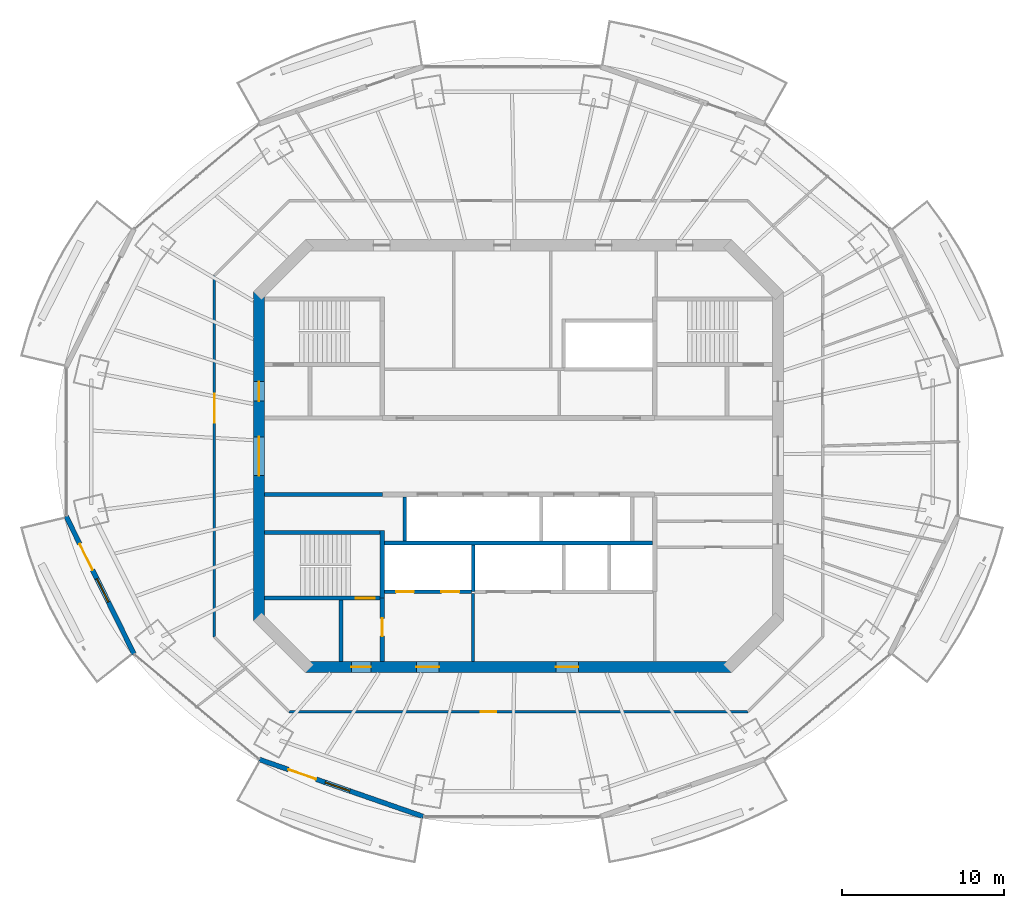
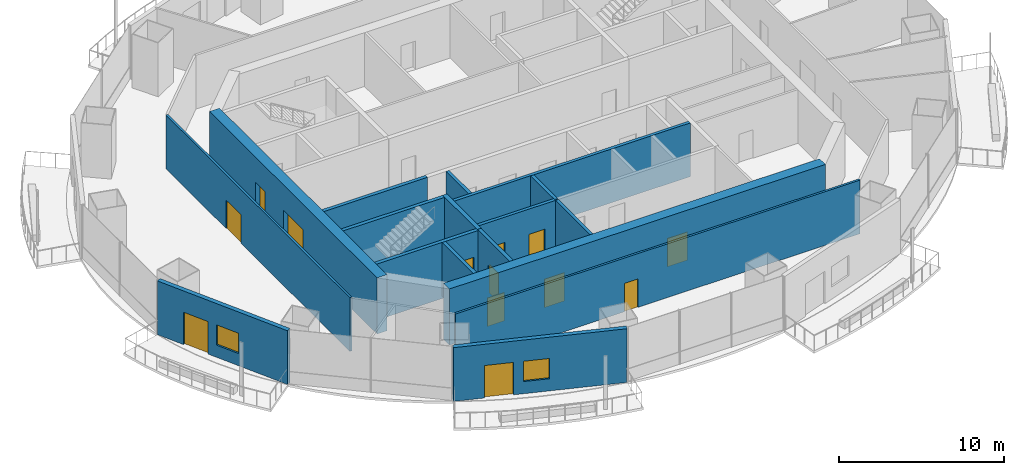
# One storey, part 8 of 16: 17 walls, 13 doors, 2 windows, 15 openings.
"""IFC4 building model written with IfcOpenShell, lengths in metres."""

from ifc_helpers import new_model, si_unit, direction, frame, frame_2d, origin, place, context, subcontext, project, spatial, rectangle, extrude, material, layer, layer_set, type_object, element, fill, save


model = new_model("IFC4")

# Units and contexts
model_context = context("Model", 3, precision=1e-05, world=origin(), true_north=direction((0.0, 1.0)))
body_context = subcontext(model_context, "Body", "Model", "MODEL_VIEW")
ifc_project = project(units=[si_unit("LENGTHUNIT", "METRE"), si_unit("AREAUNIT", "SQUARE_METRE"), si_unit("VOLUMEUNIT", "CUBIC_METRE"), si_unit("PLANEANGLEUNIT", "RADIAN"), si_unit("MASSUNIT", "GRAM", prefix="KILO")], contexts=[model_context])

# Site, building, storey
site_placement = place(None, origin())
site = spatial("IfcSite", under=ifc_project, at=site_placement, CompositionType="ELEMENT")
building_placement = place(site_placement, origin())
building = spatial("IfcBuilding", under=site, at=building_placement, Name="Marenthal Gate Tower", CompositionType="ELEMENT")
storey_placement = place(building_placement, frame((0.0, 0.0, 309.39990234375)))
storey = spatial("IfcBuildingStorey", under=building, at=storey_placement, Name="L69", CompositionType="ELEMENT", Elevation=309.39990234375)

# Wall, openings, doors
ifc_material_1 = material(Name="Concrete 60 MPa", Category="concrete")
ifc_layer_1 = layer(ifc_material_1, 0.699951171875)
ifc_layer_set_1 = layer_set([ifc_layer_1], Name="Core shear wall 700")
wall_type_1 = type_object("IfcWallType", Name="Core shear wall 700", PredefinedType="SHEAR", material=ifc_layer_set_1)
wall_1_placement = place(storey_placement, frame((-16.0, 10.14501953125, -0.179931640625), z_axis=(0.0, 0.0, 1.0), x_axis=(0.0, -1.0, 0.0)))
wall_1 = element("IfcWall", 1, at=wall_1_placement, inside=storey, type_object=wall_type_1, Name="Core wall 06", PredefinedType="SHEAR", context=body_context, shape_type="SweptSolid", body=[
    extrude(rectangle(XDim=20.2900390625, YDim=0.699951171875, at=frame_2d((10.14501953125, 0.0))), origin(), (0.0, 0.0, 1.0), 4.150146484375),
])
opening_1_placement = place(wall_1_placement, frame((8.945068359375, 0.0, 0.179931640625)))
opening_1 = element("IfcOpeningElement", 2, at=opening_1_placement, cuts=wall_1, Name="Opening D003.01", PredefinedType="OPENING", context=body_context, shape_type="SweptSolid", body=[
    extrude(rectangle(XDim=2.39990234375, YDim=2.10009765625, at=frame_2d((1.199951171875, 1.050048828125))), frame((0.0, 0.35986328125, 0.0), z_axis=(0.0, -1.0, 0.0), x_axis=(1.0, 0.0, 0.0)), (0.0, 0.0, 1.0), 0.719970703125),
])
opening_2_placement = place(wall_1_placement, frame((5.544921875, 0.0, 0.179931640625)))
opening_2 = element("IfcOpeningElement", 3, at=opening_2_placement, cuts=wall_1, Name="Opening D001.04", PredefinedType="OPENING", context=body_context, shape_type="SweptSolid", body=[
    extrude(rectangle(XDim=1.199951171875, YDim=2.10009765625, at=frame_2d((0.60009765625, 1.050048828125))), frame((0.0, 0.35986328125, 0.0), z_axis=(0.0, -1.0, 0.0), x_axis=(1.0, 0.0, 0.0)), (0.0, 0.0, 1.0), 0.719970703125),
])
ifc_material_2 = material(Name="Steel fire door", Category="steel")
door_type_1 = type_object("IfcDoorType", Name="Double fire door FD 45 2400 x 2100", OperationType="DOUBLE_DOOR_SINGLE_SWING", PredefinedType="DOOR", material=ifc_material_2)
door_1_placement = place(opening_1_placement, origin())
door_1 = element("IfcDoor", 4, at=door_1_placement, inside=storey, type_object=door_type_1, Name="Door D003.01", OperationType="DOUBLE_DOOR_SINGLE_SWING", OverallHeight=2.10009765625, OverallWidth=2.39990234375, PredefinedType="DOOR", context=body_context, shape_type="SweptSolid", body=[
    extrude(rectangle(XDim=2.39990234375, YDim=2.10009765625, at=frame_2d((1.199951171875, 1.050048828125))), frame((0.0, 0.02490234375, 0.0), z_axis=(0.0, -1.0, 0.0), x_axis=(1.0, 0.0, 0.0)), (0.0, 0.0, 1.0), 0.050048828125),
])
fill(opening_1, door_1)
ifc_material_3 = material(Name="Steel fire door", Category="steel")
door_type_2 = type_object("IfcDoorType", Name="Fire door FD 90 1200 x 2100", OperationType="NOTDEFINED", PredefinedType="DOOR", material=ifc_material_3)
door_2_placement = place(opening_2_placement, origin())
door_2 = element("IfcDoor", 5, at=door_2_placement, inside=storey, type_object=door_type_2, Name="Door D001.04", OperationType="SINGLE_SWING_RIGHT", OverallHeight=2.10009765625, OverallWidth=1.199951171875, PredefinedType="DOOR", context=body_context, shape_type="SweptSolid", body=[
    extrude(rectangle(XDim=1.199951171875, YDim=2.10009765625, at=frame_2d((0.60009765625, 1.050048828125))), frame((0.0, 0.02490234375, 0.0), z_axis=(0.0, -1.0, 0.0), x_axis=(1.0, 0.0, 0.0)), (0.0, 0.0, 1.0), 0.050048828125),
])
fill(opening_2, door_2)

wall_2_placement = place(storey_placement, frame((-13.14501953125, -13.0, -0.179931640625), z_axis=(0.0, 0.0, 1.0), x_axis=(1.0, 0.0, 0.0)))
wall_2 = element("IfcWall", 6, at=wall_2_placement, inside=storey, type_object=wall_type_1, Name="Core wall 08", PredefinedType="SHEAR", context=body_context, shape_type="SweptSolid", body=[
    extrude(rectangle(XDim=26.2900390625, YDim=0.699951171875, at=frame_2d((13.14501953125, 0.0))), origin(), (0.0, 0.0, 1.0), 4.150146484375),
])
opening_3_placement = place(wall_2_placement, frame((2.844970703125, 0.0, 0.179931640625)))
opening_3 = element("IfcOpeningElement", 7, at=opening_3_placement, cuts=wall_2, Name="Opening D001.06", PredefinedType="OPENING", context=body_context, shape_type="SweptSolid", body=[
    extrude(rectangle(XDim=1.199951171875, YDim=2.10009765625, at=frame_2d((0.60009765625, 1.050048828125))), frame((0.0, 0.35986328125, 0.0), z_axis=(0.0, -1.0, 0.0), x_axis=(1.0, 0.0, 0.0)), (0.0, 0.0, 1.0), 0.719970703125),
])
opening_4_placement = place(wall_2_placement, frame((6.844970703125, 0.0, 0.179931640625)))
opening_4 = element("IfcOpeningElement", 8, at=opening_4_placement, cuts=wall_2, Name="Opening D004.01", PredefinedType="OPENING", context=body_context, shape_type="SweptSolid", body=[
    extrude(rectangle(XDim=1.39990234375, YDim=2.10009765625, at=frame_2d((0.699951171875, 1.050048828125))), frame((0.0, 0.35986328125, 0.0), z_axis=(0.0, -1.0, 0.0), x_axis=(1.0, 0.0, 0.0)), (0.0, 0.0, 1.0), 0.719970703125),
])
opening_5_placement = place(wall_2_placement, frame((15.445068359375, 0.0, 0.179931640625)))
opening_5 = element("IfcOpeningElement", 9, at=opening_5_placement, cuts=wall_2, Name="Opening D004.02", PredefinedType="OPENING", context=body_context, shape_type="SweptSolid", body=[
    extrude(rectangle(XDim=1.39990234375, YDim=2.10009765625, at=frame_2d((0.699951171875, 1.050048828125))), frame((0.0, 0.35986328125, 0.0), z_axis=(0.0, -1.0, 0.0), x_axis=(1.0, 0.0, 0.0)), (0.0, 0.0, 1.0), 0.719970703125),
])
ifc_material_4 = material(Name="Steel fire door", Category="steel")
door_type_3 = type_object("IfcDoorType", Name="Fire door FD 45 1400 x 2100", OperationType="NOTDEFINED", PredefinedType="DOOR", material=ifc_material_4)
door_3_placement = place(opening_4_placement, origin())
door_3 = element("IfcDoor", 10, at=door_3_placement, inside=storey, type_object=door_type_3, Name="Door D004.01", OperationType="SINGLE_SWING_RIGHT", OverallHeight=2.10009765625, OverallWidth=1.39990234375, PredefinedType="DOOR", context=body_context, shape_type="SweptSolid", body=[
    extrude(rectangle(XDim=1.39990234375, YDim=2.10009765625, at=frame_2d((0.699951171875, 1.050048828125))), frame((0.0, 0.02490234375, 0.0), z_axis=(0.0, -1.0, 0.0), x_axis=(1.0, 0.0, 0.0)), (0.0, 0.0, 1.0), 0.050048828125),
])
fill(opening_4, door_3)
door_4_placement = place(opening_5_placement, origin())
door_4 = element("IfcDoor", 11, at=door_4_placement, inside=storey, type_object=door_type_3, Name="Door D004.02", OperationType="SINGLE_SWING_RIGHT", OverallHeight=2.10009765625, OverallWidth=1.39990234375, PredefinedType="DOOR", context=body_context, shape_type="SweptSolid", body=[
    extrude(rectangle(XDim=1.39990234375, YDim=2.10009765625, at=frame_2d((0.699951171875, 1.050048828125))), frame((0.0, 0.02490234375, 0.0), z_axis=(0.0, -1.0, 0.0), x_axis=(1.0, 0.0, 0.0)), (0.0, 0.0, 1.0), 0.050048828125),
])
fill(opening_5, door_4)
door_5_placement = place(opening_3_placement, origin())
door_5 = element("IfcDoor", 12, at=door_5_placement, inside=storey, type_object=door_type_2, Name="Door D001.06", OperationType="SINGLE_SWING_RIGHT", OverallHeight=2.10009765625, OverallWidth=1.199951171875, PredefinedType="DOOR", context=body_context, shape_type="SweptSolid", body=[
    extrude(rectangle(XDim=1.199951171875, YDim=2.10009765625, at=frame_2d((0.60009765625, 1.050048828125))), frame((0.0, 0.02490234375, 0.0), z_axis=(0.0, -1.0, 0.0), x_axis=(1.0, 0.0, 0.0)), (0.0, 0.0, 1.0), 0.050048828125),
])
fill(opening_3, door_5)

# Walls
ifc_material_5 = material(Name="Gypsum board on steel studs", Category="steel")
ifc_layer_2 = layer(ifc_material_5, 0.199951171875)
ifc_layer_set_2 = layer_set([ifc_layer_2], Name="Fire lobby wall 200")
wall_type_2 = type_object("IfcWallType", Name="Fire lobby wall 200", PredefinedType="PARTITIONING", material=ifc_layer_set_2)
wall_3_placement = place(storey_placement, frame((-2.800048828125, -12.64990234375, 0.0), z_axis=(0.0, 0.0, 1.0), x_axis=(0.0, 1.0, 0.0)))
element("IfcWall", 13, at=wall_3_placement, inside=storey, type_object=wall_type_2, Name="Fire wall 37", PredefinedType="PARTITIONING", context=body_context, shape_type="SweptSolid", body=[
    extrude(rectangle(XDim=4.18994140625, YDim=0.199951171875, at=frame_2d((2.094970703125, 0.0))), origin(), (0.0, 0.0, 1.0), 3.97021484375),
])
ifc_material_6 = material(Name="Concrete 50 MPa", Category="concrete")
ifc_layer_3 = layer(ifc_material_6, 0.300048828125)
ifc_layer_set_3 = layer_set([ifc_layer_3], Name="Hoistway shear wall 300")
wall_type_3 = type_object("IfcWallType", Name="Hoistway shear wall 300", PredefinedType="SHEAR", material=ifc_layer_set_3)
wall_4_placement = place(storey_placement, frame((-8.39990234375, -8.75, -0.179931640625), z_axis=(0.0, 0.0, 1.0), x_axis=(0.0, 1.0, 0.0)))
element("IfcWall", 14, at=wall_4_placement, inside=storey, type_object=wall_type_3, Name="Hoistway wall 32", PredefinedType="SHEAR", context=body_context, shape_type="SweptSolid", body=[
    extrude(rectangle(XDim=4.175048828125, YDim=0.300048828125, at=frame_2d((2.08740234375, 0.0))), origin(), (0.0, 0.0, 1.0), 4.150146484375),
])

# Wall, openings, doors
ifc_material_7 = material(Name="Concrete 40 MPa", Category="concrete")
ifc_layer_4 = layer(ifc_material_7, 0.219970703125)
ifc_layer_set_4 = layer_set([ifc_layer_4], Name="Hoistway wall 220")
wall_type_4 = type_object("IfcWallType", Name="Hoistway wall 220", PredefinedType="STANDARD", material=ifc_layer_set_4)
wall_5_placement = place(storey_placement, frame((-8.25, -8.35009765625, 0.0), z_axis=(0.0, 0.0, 1.0), x_axis=(1.0, 0.0, 0.0)))
wall_5 = element("IfcWall", 15, at=wall_5_placement, inside=storey, type_object=wall_type_4, Name="Hoistway wall 10", PredefinedType="STANDARD", context=body_context, shape_type="SweptSolid", body=[
    extrude(rectangle(XDim=5.340087890625, YDim=0.219970703125, at=frame_2d((2.669921875, 0.0))), origin(), (0.0, 0.0, 1.0), 3.97021484375),
])
opening_6_placement = place(wall_5_placement, frame((0.699951171875, 0.0, 0.0)))
opening_6 = element("IfcOpeningElement", 16, at=opening_6_placement, cuts=wall_5, Name="Opening LD-LF1", PredefinedType="OPENING", context=body_context, shape_type="SweptSolid", body=[
    extrude(rectangle(XDim=1.10009765625, YDim=2.10009765625, at=frame_2d((0.550048828125, 1.050048828125))), frame((0.0, 0.1201171875, 0.0), z_axis=(0.0, -1.0, 0.0), x_axis=(1.0, 0.0, 0.0)), (0.0, 0.0, 1.0), 0.239990234375),
])
opening_7_placement = place(wall_5_placement, frame((3.5, 0.0, 0.0)))
opening_7 = element("IfcOpeningElement", 17, at=opening_7_placement, cuts=wall_5, Name="Opening LD-LF2", PredefinedType="OPENING", context=body_context, shape_type="SweptSolid", body=[
    extrude(rectangle(XDim=1.10009765625, YDim=2.10009765625, at=frame_2d((0.550048828125, 1.050048828125))), frame((0.0, 0.1201171875, 0.0), z_axis=(0.0, -1.0, 0.0), x_axis=(1.0, 0.0, 0.0)), (0.0, 0.0, 1.0), 0.239990234375),
])
ifc_material_8 = material(Name="Stainless steel sliding door", Category="steel")
door_type_4 = type_object("IfcDoorType", Name="Lift landing door FD 90 1100 x 2100", OperationType="DOUBLE_DOOR_SLIDING", PredefinedType="DOOR", material=ifc_material_8)
door_6_placement = place(opening_6_placement, origin())
door_6 = element("IfcDoor", 18, at=door_6_placement, inside=storey, type_object=door_type_4, Name="Lift landing door LF1", OperationType="DOUBLE_DOOR_SLIDING", OverallHeight=2.10009765625, OverallWidth=1.10009765625, PredefinedType="DOOR", context=body_context, shape_type="SweptSolid", body=[
    extrude(rectangle(XDim=1.10009765625, YDim=2.10009765625, at=frame_2d((0.550048828125, 1.050048828125))), frame((0.0, 0.02490234375, 0.0), z_axis=(0.0, -1.0, 0.0), x_axis=(1.0, 0.0, 0.0)), (0.0, 0.0, 1.0), 0.050048828125),
])
fill(opening_6, door_6)
door_7_placement = place(opening_7_placement, origin())
door_7 = element("IfcDoor", 19, at=door_7_placement, inside=storey, type_object=door_type_4, Name="Lift landing door LF2", OperationType="DOUBLE_DOOR_SLIDING", OverallHeight=2.10009765625, OverallWidth=1.10009765625, PredefinedType="DOOR", context=body_context, shape_type="SweptSolid", body=[
    extrude(rectangle(XDim=1.10009765625, YDim=2.10009765625, at=frame_2d((0.550048828125, 1.050048828125))), frame((0.0, 0.02490234375, 0.0), z_axis=(0.0, -1.0, 0.0), x_axis=(1.0, 0.0, 0.0)), (0.0, 0.0, 1.0), 0.050048828125),
])
fill(opening_7, door_7)

# Walls
wall_6_placement = place(storey_placement, frame((-8.25, -5.35009765625, 0.0), z_axis=(0.0, 0.0, 1.0), x_axis=(1.0, 0.0, 0.0)))
element("IfcWall", 20, at=wall_6_placement, inside=storey, type_object=wall_type_4, Name="Hoistway wall 13", PredefinedType="STANDARD", context=body_context, shape_type="SweptSolid", body=[
    extrude(rectangle(XDim=16.5, YDim=0.219970703125, at=frame_2d((8.25, 0.0))), origin(), (0.0, 0.0, 1.0), 3.97021484375),
])
wall_7_placement = place(storey_placement, frame((-7.0, -5.239990234375, 0.0), z_axis=(0.0, 0.0, 1.0), x_axis=(0.0, 1.0, 0.0)))
element("IfcWall", 21, at=wall_7_placement, inside=storey, type_object=wall_type_4, Name="Hoistway wall 35", PredefinedType="STANDARD", context=body_context, shape_type="SweptSolid", body=[
    extrude(rectangle(XDim=2.739990234375, YDim=0.219970703125, at=frame_2d((1.3701171875, 0.0))), origin(), (0.0, 0.0, 1.0), 3.97021484375),
])
wall_8_placement = place(storey_placement, frame((-2.800048828125, -8.35009765625, 0.0), z_axis=(0.0, 0.0, 1.0), x_axis=(0.0, 1.0, 0.0)))
element("IfcWall", 22, at=wall_8_placement, inside=storey, type_object=wall_type_4, Name="Hoistway wall 38", PredefinedType="STANDARD", context=body_context, shape_type="SweptSolid", body=[
    extrude(rectangle(XDim=2.89013671875, YDim=0.219970703125, at=frame_2d((1.445068359375, 0.0))), origin(), (0.0, 0.0, 1.0), 3.97021484375),
])

# Wall, opening, door
ifc_material_9 = material(Name="Gypsum board on steel studs", Category="steel")
ifc_layer_5 = layer(ifc_material_9, 0.14990234375)
ifc_layer_set_5 = layer_set([ifc_layer_5], Name="Partition 150")
wall_type_5 = type_object("IfcWallType", Name="Partition 150", PredefinedType="PARTITIONING", material=ifc_layer_set_5)
wall_9_placement = place(storey_placement, frame((-18.75, -11.13916015625, 0.0), z_axis=(0.0, 0.0, 1.0), x_axis=(0.0, 1.0, 0.0)))
wall_9 = element("IfcWall", 23, at=wall_9_placement, inside=storey, type_object=wall_type_5, Name="Partition wall 52", PredefinedType="PARTITIONING", context=body_context, shape_type="SweptSolid", body=[
    extrude(rectangle(XDim=22.2783203125, YDim=0.14990234375, at=frame_2d((11.13916015625, 0.0))), origin(), (0.0, 0.0, 1.0), 3.97021484375),
])
opening_8_placement = place(wall_9_placement, frame((13.194091796875, 0.0, 0.0)))
opening_8 = element("IfcOpeningElement", 24, at=opening_8_placement, cuts=wall_9, Name="Opening D014.03", PredefinedType="OPENING", context=body_context, shape_type="SweptSolid", body=[
    extrude(rectangle(XDim=1.800048828125, YDim=2.10009765625, at=frame_2d((0.89990234375, 1.050048828125))), frame((0.0, 0.0849609375, 0.0), z_axis=(0.0, -1.0, 0.0), x_axis=(1.0, 0.0, 0.0)), (0.0, 0.0, 1.0), 0.169921875),
])
ifc_material_10 = material(Name="Timber door", Category="wood")
door_type_5 = type_object("IfcDoorType", Name="Double door 1800 x 2100", OperationType="DOUBLE_DOOR_SINGLE_SWING", PredefinedType="DOOR", material=ifc_material_10)
door_8_placement = place(opening_8_placement, origin())
door_8 = element("IfcDoor", 25, at=door_8_placement, inside=storey, type_object=door_type_5, Name="Door D014.03", OperationType="DOUBLE_DOOR_SINGLE_SWING", OverallHeight=2.10009765625, OverallWidth=1.800048828125, PredefinedType="DOOR", context=body_context, shape_type="SweptSolid", body=[
    extrude(rectangle(XDim=1.800048828125, YDim=2.10009765625, at=frame_2d((0.89990234375, 1.050048828125))), frame((0.0, 0.02490234375, 0.0), z_axis=(0.0, -1.0, 0.0), x_axis=(1.0, 0.0, 0.0)), (0.0, 0.0, 1.0), 0.050048828125),
])
fill(opening_8, door_8)

wall_10_placement = place(storey_placement, frame((14.13916015625, -15.75, 0.0), z_axis=(0.0, 0.0, 1.0), x_axis=(-1.0, 0.0, 0.0)))
wall_10 = element("IfcWall", 26, at=wall_10_placement, inside=storey, type_object=wall_type_5, Name="Partition wall 60", PredefinedType="PARTITIONING", context=body_context, shape_type="SweptSolid", body=[
    extrude(rectangle(XDim=28.2783203125, YDim=0.14990234375, at=frame_2d((14.13916015625, 0.0))), origin(), (0.0, 0.0, 1.0), 3.97021484375),
])
opening_9_placement = place(wall_10_placement, frame((15.51806640625, 0.0, 0.0)))
opening_9 = element("IfcOpeningElement", 27, at=opening_9_placement, cuts=wall_10, Name="Opening D016.05", PredefinedType="OPENING", context=body_context, shape_type="SweptSolid", body=[
    extrude(rectangle(XDim=0.949951171875, YDim=2.10009765625, at=frame_2d((0.47509765625, 1.050048828125))), frame((0.0, 0.0849609375, 0.0), z_axis=(0.0, -1.0, 0.0), x_axis=(1.0, 0.0, 0.0)), (0.0, 0.0, 1.0), 0.169921875),
])
ifc_material_11 = material(Name="Timber door", Category="wood")
door_type_6 = type_object("IfcDoorType", Name="Door 950 x 2100", OperationType="NOTDEFINED", PredefinedType="DOOR", material=ifc_material_11)
door_9_placement = place(opening_9_placement, origin())
door_9 = element("IfcDoor", 28, at=door_9_placement, inside=storey, type_object=door_type_6, Name="Door D016.05", OperationType="SINGLE_SWING_RIGHT", OverallHeight=2.10009765625, OverallWidth=0.949951171875, PredefinedType="DOOR", context=body_context, shape_type="SweptSolid", body=[
    extrude(rectangle(XDim=0.949951171875, YDim=2.10009765625, at=frame_2d((0.47509765625, 1.050048828125))), frame((0.0, 0.02490234375, 0.0), z_axis=(0.0, -1.0, 0.0), x_axis=(1.0, 0.0, 0.0)), (0.0, 0.0, 1.0), 0.050048828125),
])
fill(opening_9, door_9)

# Walls
ifc_material_12 = material(Name="Concrete 40 MPa", Category="concrete")
ifc_layer_6 = layer(ifc_material_12, 0.25)
ifc_layer_set_6 = layer_set([ifc_layer_6], Name="Stair enclosure wall 250")
wall_type_6 = type_object("IfcWallType", Name="Stair enclosure wall 250", PredefinedType="STANDARD", material=ifc_layer_set_6)
wall_11_placement = place(storey_placement, frame((-15.64990234375, -2.35009765625, 0.0), z_axis=(0.0, 0.0, 1.0), x_axis=(1.0, 0.0, 0.0)))
element("IfcWall", 29, at=wall_11_placement, inside=storey, type_object=wall_type_6, Name="Stair wall 16", PredefinedType="STANDARD", context=body_context, shape_type="SweptSolid", body=[
    extrude(rectangle(XDim=7.25, YDim=0.25, at=frame_2d((3.625, 0.0))), origin(), (0.0, 0.0, 1.0), 3.97021484375),
])
wall_12_placement = place(storey_placement, frame((-10.949951171875, -12.64990234375, 0.0), z_axis=(0.0, 0.0, 1.0), x_axis=(0.0, 1.0, 0.0)))
element("IfcWall", 30, at=wall_12_placement, inside=storey, type_object=wall_type_6, Name="Stair wall 30", PredefinedType="STANDARD", context=body_context, shape_type="SweptSolid", body=[
    extrude(rectangle(XDim=3.77490234375, YDim=0.25, at=frame_2d((1.887451171875, 0.0))), origin(), (0.0, 0.0, 1.0), 3.97021484375),
])

# Wall, opening, door
wall_13_placement = place(storey_placement, frame((-8.39990234375, -12.64990234375, 0.0), z_axis=(0.0, 0.0, 1.0), x_axis=(0.0, 1.0, 0.0)))
wall_13 = element("IfcWall", 31, at=wall_13_placement, inside=storey, type_object=wall_type_6, Name="Stair wall 31", PredefinedType="STANDARD", context=body_context, shape_type="SweptSolid", body=[
    extrude(rectangle(XDim=3.89990234375, YDim=0.25, at=frame_2d((1.949951171875, 0.0))), origin(), (0.0, 0.0, 1.0), 3.97021484375),
])
opening_10_placement = place(wall_13_placement, frame((1.550048828125, 0.0, 0.0)))
opening_10 = element("IfcOpeningElement", 32, at=opening_10_placement, cuts=wall_13, Name="Opening D002.01", PredefinedType="OPENING", context=body_context, shape_type="SweptSolid", body=[
    extrude(rectangle(XDim=1.10009765625, YDim=2.10009765625, at=frame_2d((0.550048828125, 1.050048828125))), frame((0.0, 0.135009765625, 0.0), z_axis=(0.0, -1.0, 0.0), x_axis=(1.0, 0.0, 0.0)), (0.0, 0.0, 1.0), 0.27001953125),
])
ifc_material_13 = material(Name="Steel fire door", Category="steel")
door_type_7 = type_object("IfcDoorType", Name="Fire door FD 90 1100 x 2100", OperationType="NOTDEFINED", PredefinedType="DOOR", material=ifc_material_13)
door_10_placement = place(opening_10_placement, origin())
door_10 = element("IfcDoor", 33, at=door_10_placement, inside=storey, type_object=door_type_7, Name="Door D002.01", OperationType="SINGLE_SWING_RIGHT", OverallHeight=2.10009765625, OverallWidth=1.10009765625, PredefinedType="DOOR", context=body_context, shape_type="SweptSolid", body=[
    extrude(rectangle(XDim=1.10009765625, YDim=2.10009765625, at=frame_2d((0.550048828125, 1.050048828125))), frame((0.0, 0.02490234375, 0.0), z_axis=(0.0, -1.0, 0.0), x_axis=(1.0, 0.0, 0.0)), (0.0, 0.0, 1.0), 0.050048828125),
])
fill(opening_10, door_10)

ifc_material_14 = material(Name="Concrete 50 MPa", Category="concrete")
ifc_layer_7 = layer(ifc_material_14, 0.25)
ifc_layer_set_7 = layer_set([ifc_layer_7], Name="Stair shear wall 250")
wall_type_7 = type_object("IfcWallType", Name="Stair shear wall 250", PredefinedType="SHEAR", material=ifc_layer_set_7)
wall_14_placement = place(storey_placement, frame((-15.64990234375, -8.75, -0.179931640625), z_axis=(0.0, 0.0, 1.0), x_axis=(1.0, 0.0, 0.0)))
wall_14 = element("IfcWall", 34, at=wall_14_placement, inside=storey, type_object=wall_type_7, Name="Stair wall 09", PredefinedType="SHEAR", context=body_context, shape_type="SweptSolid", body=[
    extrude(rectangle(XDim=7.099853515625, YDim=0.25, at=frame_2d((3.5498046875, 0.0))), origin(), (0.0, 0.0, 1.0), 4.150146484375),
])
opening_11_placement = place(wall_14_placement, frame((5.60009765625, 0.0, 0.179931640625)))
opening_11 = element("IfcOpeningElement", 35, at=opening_11_placement, cuts=wall_14, Name="Opening D001.03", PredefinedType="OPENING", context=body_context, shape_type="SweptSolid", body=[
    extrude(rectangle(XDim=1.199951171875, YDim=2.10009765625, at=frame_2d((0.60009765625, 1.050048828125))), frame((0.0, 0.135009765625, 0.0), z_axis=(0.0, -1.0, 0.0), x_axis=(1.0, 0.0, 0.0)), (0.0, 0.0, 1.0), 0.27001953125),
])
door_11_placement = place(opening_11_placement, origin())
door_11 = element("IfcDoor", 36, at=door_11_placement, inside=storey, type_object=door_type_2, Name="Door D001.03", OperationType="SINGLE_SWING_RIGHT", OverallHeight=2.10009765625, OverallWidth=1.199951171875, PredefinedType="DOOR", context=body_context, shape_type="SweptSolid", body=[
    extrude(rectangle(XDim=1.199951171875, YDim=2.10009765625, at=frame_2d((0.60009765625, 1.050048828125))), frame((0.0, 0.02490234375, 0.0), z_axis=(0.0, -1.0, 0.0), x_axis=(1.0, 0.0, 0.0)), (0.0, 0.0, 1.0), 0.050048828125),
])
fill(opening_11, door_11)

# Wall
wall_15_placement = place(storey_placement, frame((-15.64990234375, -4.699951171875, -0.179931640625), z_axis=(0.0, 0.0, 1.0), x_axis=(1.0, 0.0, 0.0)))
element("IfcWall", 37, at=wall_15_placement, inside=storey, type_object=wall_type_7, Name="Stair wall 14", PredefinedType="SHEAR", context=body_context, shape_type="SweptSolid", body=[
    extrude(rectangle(XDim=7.099853515625, YDim=0.25, at=frame_2d((3.5498046875, 0.0))), origin(), (0.0, 0.0, 1.0), 4.150146484375),
])

# Wall, openings, door, window
ifc_material_15 = material(Name="Terracotta cladding on insulated concrete-block backing", Category="masonry")
ifc_layer_8 = layer(ifc_material_15, 0.300048828125)
ifc_layer_set_8 = layer_set([ifc_layer_8], Name="Terracotta facade wall 300")
wall_type_8 = type_object("IfcWallType", Name="Terracotta facade wall 300", PredefinedType="SOLIDWALL", material=ifc_layer_set_8)
wall_16_placement = place(storey_placement, frame((-27.895263671875, -3.69873046875, 0.0), z_axis=(0.0, 0.0, 1.0), x_axis=(0.441906476931, -0.89706112704, 0.0)))
wall_16 = element("IfcWall", 38, at=wall_16_placement, inside=storey, type_object=wall_type_8, Name="Terracotta facade wall L69 bay 9", PredefinedType="SOLIDWALL", context=body_context, shape_type="SweptSolid", body=[
    extrude(rectangle(XDim=9.47216796875, YDim=0.300048828125, at=frame_2d((4.736083984375, 0.0))), origin(), (0.0, 0.0, 1.0), 3.97021484375),
])
opening_12_placement = place(wall_16_placement, frame((1.89990234375, 0.0, 0.0)))
opening_12 = element("IfcOpeningElement", 39, at=opening_12_placement, cuts=wall_16, Name="Opening BD-L69-09", PredefinedType="OPENING", context=body_context, shape_type="SweptSolid", body=[
    extrude(rectangle(XDim=1.800048828125, YDim=2.39990234375, at=frame_2d((0.89990234375, 1.199951171875))), frame((0.0, 0.16015625, 0.0), z_axis=(0.0, -1.0, 0.0), x_axis=(1.0, 0.0, 0.0)), (0.0, 0.0, 1.0), 0.320068359375),
])
opening_13_placement = place(wall_16_placement, frame((4.300048828125, 0.0, 0.89990234375)))
opening_13 = element("IfcOpeningElement", 40, at=opening_13_placement, cuts=wall_16, Name="Opening WN3-L69-09", PredefinedType="OPENING", context=body_context, shape_type="SweptSolid", body=[
    extrude(rectangle(XDim=1.60009765625, YDim=1.5, at=frame_2d((0.800048828125, 0.75))), frame((0.0, 0.16015625, 0.0), z_axis=(0.0, -1.0, 0.0), x_axis=(1.0, 0.0, 0.0)), (0.0, 0.0, 1.0), 0.320068359375),
])
ifc_material_16 = material(Name="Aluminium and glass", Category="aluminium")
door_type_8 = type_object("IfcDoorType", Name="Balcony door 1800x2400", OperationType="DOUBLE_DOOR_SINGLE_SWING", PredefinedType="DOOR", material=ifc_material_16)
door_12_placement = place(opening_12_placement, origin())
door_12 = element("IfcDoor", 41, at=door_12_placement, inside=storey, type_object=door_type_8, Name="Balcony door L69 bay 9", OperationType="SINGLE_SWING_LEFT", OverallHeight=2.39990234375, OverallWidth=1.800048828125, PredefinedType="DOOR", context=body_context, shape_type="SweptSolid", body=[
    extrude(rectangle(XDim=1.800048828125, YDim=2.39990234375, at=frame_2d((0.89990234375, 1.199951171875))), frame((0.0, 0.02490234375, 0.0), z_axis=(0.0, -1.0, 0.0), x_axis=(1.0, 0.0, 0.0)), (0.0, 0.0, 1.0), 0.050048828125),
])
fill(opening_12, door_12)
ifc_material_17 = material(Name="Aluminium and glass", Category="aluminium")
window_type = type_object("IfcWindowType", Name="Window 1600x1500", PartitioningType="DOUBLE_PANEL_VERTICAL", PredefinedType="WINDOW", material=ifc_material_17)
window_1_placement = place(opening_13_placement, origin())
window_1 = element("IfcWindow", 42, at=window_1_placement, inside=storey, type_object=window_type, Name="Window L69 bay 9", OverallHeight=1.5, OverallWidth=1.60009765625, PartitioningType="SINGLE_PANEL", PredefinedType="WINDOW", context=body_context, shape_type="SweptSolid", body=[
    extrude(rectangle(XDim=1.60009765625, YDim=1.5, at=frame_2d((0.800048828125, 0.75))), frame((0.0, 0.030029296875, 0.0), z_axis=(0.0, -1.0, 0.0), x_axis=(1.0, 0.0, 0.0)), (0.0, 0.0, 1.0), 0.06005859375),
])
fill(opening_13, window_1)

wall_17_placement = place(storey_placement, frame((-15.974853515625, -18.699462890625, 0.0), z_axis=(0.0, 0.0, 1.0), x_axis=(0.94436622093, -0.328895790132, 0.0)))
wall_17 = element("IfcWall", 43, at=wall_17_placement, inside=storey, type_object=wall_type_8, Name="Terracotta facade wall L69 bay 11", PredefinedType="SOLIDWALL", context=body_context, shape_type="SweptSolid", body=[
    extrude(rectangle(XDim=10.701171875, YDim=0.300048828125, at=frame_2d((5.3505859375, 0.0))), origin(), (0.0, 0.0, 1.0), 3.97021484375),
])
opening_14_placement = place(wall_17_placement, frame((1.89990234375, 0.0, 0.0)))
opening_14 = element("IfcOpeningElement", 44, at=opening_14_placement, cuts=wall_17, Name="Opening BD-L69-11", PredefinedType="OPENING", context=body_context, shape_type="SweptSolid", body=[
    extrude(rectangle(XDim=1.800048828125, YDim=2.39990234375, at=frame_2d((0.89990234375, 1.199951171875))), frame((0.0, 0.16015625, 0.0), z_axis=(0.0, -1.0, 0.0), x_axis=(1.0, 0.0, 0.0)), (0.0, 0.0, 1.0), 0.320068359375),
])
opening_15_placement = place(wall_17_placement, frame((4.300048828125, 0.0, 0.89990234375)))
opening_15 = element("IfcOpeningElement", 45, at=opening_15_placement, cuts=wall_17, Name="Opening WN3-L69-11", PredefinedType="OPENING", context=body_context, shape_type="SweptSolid", body=[
    extrude(rectangle(XDim=1.60009765625, YDim=1.5, at=frame_2d((0.800048828125, 0.75))), frame((0.0, 0.16015625, 0.0), z_axis=(0.0, -1.0, 0.0), x_axis=(1.0, 0.0, 0.0)), (0.0, 0.0, 1.0), 0.320068359375),
])
door_13_placement = place(opening_14_placement, origin())
door_13 = element("IfcDoor", 46, at=door_13_placement, inside=storey, type_object=door_type_8, Name="Balcony door L69 bay 11", OperationType="SINGLE_SWING_LEFT", OverallHeight=2.39990234375, OverallWidth=1.800048828125, PredefinedType="DOOR", context=body_context, shape_type="SweptSolid", body=[
    extrude(rectangle(XDim=1.800048828125, YDim=2.39990234375, at=frame_2d((0.89990234375, 1.199951171875))), frame((0.0, 0.02490234375, 0.0), z_axis=(0.0, -1.0, 0.0), x_axis=(1.0, 0.0, 0.0)), (0.0, 0.0, 1.0), 0.050048828125),
])
fill(opening_14, door_13)
window_2_placement = place(opening_15_placement, origin())
window_2 = element("IfcWindow", 47, at=window_2_placement, inside=storey, type_object=window_type, Name="Window L69 bay 11", OverallHeight=1.5, OverallWidth=1.60009765625, PartitioningType="SINGLE_PANEL", PredefinedType="WINDOW", context=body_context, shape_type="SweptSolid", body=[
    extrude(rectangle(XDim=1.60009765625, YDim=1.5, at=frame_2d((0.800048828125, 0.75))), frame((0.0, 0.030029296875, 0.0), z_axis=(0.0, -1.0, 0.0), x_axis=(1.0, 0.0, 0.0)), (0.0, 0.0, 1.0), 0.06005859375),
])
fill(opening_15, window_2)

save(model, "model.ifc")
